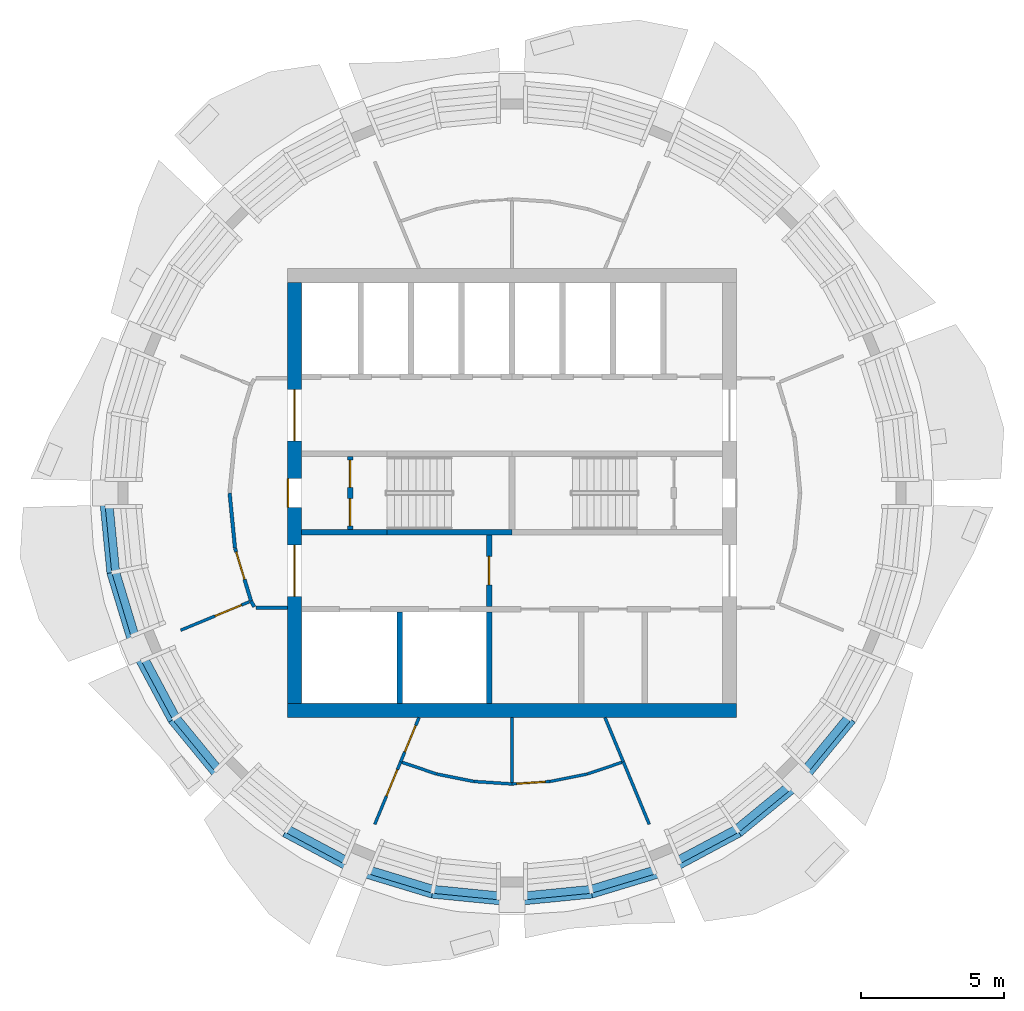
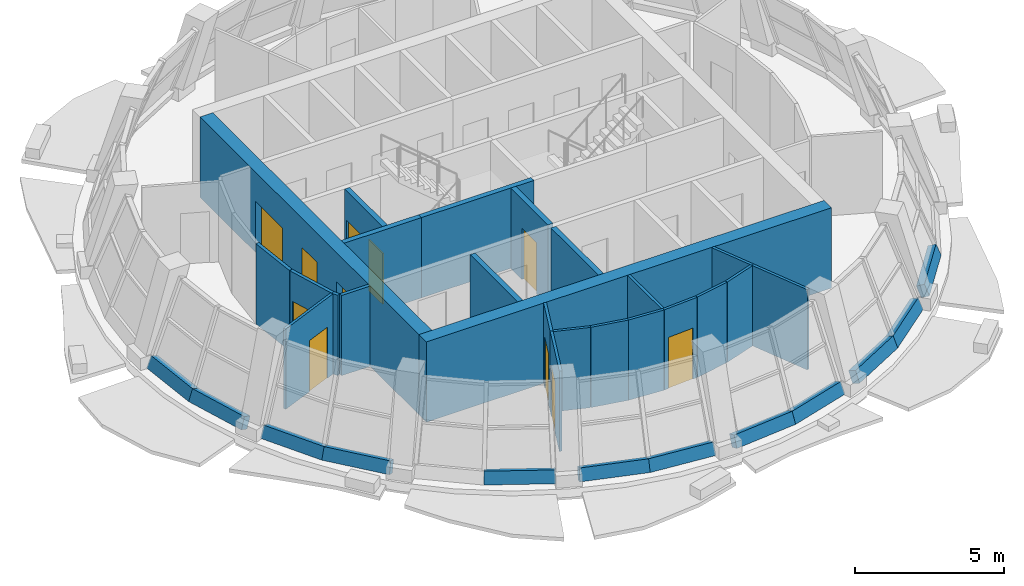
# One storey, part 5 of 12: 36 walls, 11 doors, 11 openings.
"""IFC4 building model written with IfcOpenShell, lengths in metres."""

from ifc_helpers import new_model, si_unit, direction, frame, frame_2d, origin, place, context, subcontext, project, spatial, polyline, rectangle, outline, extrude, material, layer, layer_set, type_object, element, fill, save


model = new_model("IFC4")

# Units and contexts
model_context = context("Model", 3, precision=1e-05, world=origin(), true_north=direction((0.0, 1.0)))
body_context = subcontext(model_context, "Body", "Model", "MODEL_VIEW")
ifc_project = project(units=[si_unit("LENGTHUNIT", "METRE"), si_unit("AREAUNIT", "SQUARE_METRE"), si_unit("VOLUMEUNIT", "CUBIC_METRE"), si_unit("PLANEANGLEUNIT", "RADIAN"), si_unit("MASSUNIT", "GRAM", prefix="KILO")], contexts=[model_context])

# Site, building, storey
site_placement = place(None, origin())
site = spatial("IfcSite", under=ifc_project, at=site_placement, CompositionType="ELEMENT")
building_placement = place(site_placement, origin())
building = spatial("IfcBuilding", under=site, at=building_placement, Name="Polderwave Tower", CompositionType="ELEMENT")
storey_placement = place(building_placement, frame((0.0, 0.0, 231.199951171875)))
storey = spatial("IfcBuildingStorey", under=building, at=storey_placement, Name="L63", CompositionType="ELEMENT", Elevation=231.199951171875)

# Wall
ifc_material_1 = material(Name="Concrete C60/75", Category="concrete")
ifc_layer_1 = layer(ifc_material_1, 0.5)
ifc_layer_set_1 = layer_set([ifc_layer_1], Name="CORE WALL 500 C60/75")
wall_type_1 = type_object("IfcWallType", Name="CORE WALL 500 C60/75", PredefinedType="SHEAR", material=ifc_layer_set_1)
wall_1_placement = place(storey_placement, frame((-7.8740234375, -7.6240234375, 0.0), z_axis=(0.0, 0.0, 1.0), x_axis=(1.0, 0.0, 0.0)))
element("IfcWall", 1, at=wall_1_placement, inside=storey, type_object=wall_type_1, Name="ST-CORE-L63-S", PredefinedType="SHEAR", context=body_context, shape_type="SweptSolid", body=[
    extrude(rectangle(XDim=15.748046875, YDim=0.5, at=frame_2d((7.8740234375, 0.0))), origin(), (0.0, 0.0, 1.0), 3.300048828125),
])

# Wall, openings, doors
wall_2_placement = place(storey_placement, frame((-7.6240234375, -7.3740234375, 0.0), z_axis=(0.0, 0.0, 1.0), x_axis=(0.0, 1.0, 0.0)))
wall_2 = element("IfcWall", 2, at=wall_2_placement, inside=storey, type_object=wall_type_1, Name="ST-CORE-L63-W", PredefinedType="SHEAR", context=body_context, shape_type="SweptSolid", body=[
    extrude(rectangle(XDim=14.748046875, YDim=0.5, at=frame_2d((7.3740234375, 0.0))), origin(), (0.0, 0.0, 1.0), 3.300048828125),
])
opening_1_placement = place(wall_2_placement, frame((6.8740234375, 0.0, 0.0)))
opening_1 = element("IfcOpeningElement", 3, at=opening_1_placement, cuts=wall_2, Name="Opening L63-D19", PredefinedType="OPENING", context=body_context, shape_type="SweptSolid", body=[
    extrude(rectangle(XDim=1.0, YDim=2.10009765625, at=frame_2d((0.5, 1.050048828125))), frame((0.0, 0.260009765625, 0.0), z_axis=(0.0, -1.0, 0.0), x_axis=(1.0, 0.0, 0.0)), (0.0, 0.0, 1.0), 0.52001953125),
])
opening_2_placement = place(wall_2_placement, frame((3.74951171875, 0.0, 0.0)))
opening_2 = element("IfcOpeningElement", 4, at=opening_2_placement, cuts=wall_2, Name="Opening L63-D20", PredefinedType="OPENING", context=body_context, shape_type="SweptSolid", body=[
    extrude(rectangle(XDim=1.800048828125, YDim=2.10009765625, at=frame_2d((0.89990234375, 1.050048828125))), frame((0.0, 0.260009765625, 0.0), z_axis=(0.0, -1.0, 0.0), x_axis=(1.0, 0.0, 0.0)), (0.0, 0.0, 1.0), 0.52001953125),
])
opening_3_placement = place(wall_2_placement, frame((9.198486328125, 0.0, 0.0)))
opening_3 = element("IfcOpeningElement", 5, at=opening_3_placement, cuts=wall_2, Name="Opening L63-D21", PredefinedType="OPENING", context=body_context, shape_type="SweptSolid", body=[
    extrude(rectangle(XDim=1.800048828125, YDim=2.10009765625, at=frame_2d((0.89990234375, 1.050048828125))), frame((0.0, 0.260009765625, 0.0), z_axis=(0.0, -1.0, 0.0), x_axis=(1.0, 0.0, 0.0)), (0.0, 0.0, 1.0), 0.52001953125),
])
ifc_material_2 = material(Name="Steel fire door", Category="steel")
door_type_1 = type_object("IfcDoorType", Name="Lobby entry door pair 1800", OperationType="DOUBLE_DOOR_SINGLE_SWING", PredefinedType="DOOR", material=ifc_material_2)
door_1_placement = place(opening_2_placement, origin())
door_1 = element("IfcDoor", 6, at=door_1_placement, inside=storey, type_object=door_type_1, Name="Fire-fighting lobby entry door", OperationType="DOUBLE_DOOR_SINGLE_SWING", OverallHeight=2.10009765625, OverallWidth=1.800048828125, PredefinedType="DOOR", context=body_context, shape_type="SweptSolid", body=[
    extrude(rectangle(XDim=1.800048828125, YDim=2.10009765625, at=frame_2d((0.89990234375, 1.050048828125))), frame((0.0, 0.02490234375, 0.0), z_axis=(0.0, -1.0, 0.0), x_axis=(1.0, 0.0, 0.0)), (0.0, 0.0, 1.0), 0.050048828125),
])
fill(opening_2, door_1)
door_2_placement = place(opening_3_placement, origin())
door_2 = element("IfcDoor", 7, at=door_2_placement, inside=storey, type_object=door_type_1, Name="North lobby entry door", OperationType="DOUBLE_DOOR_SINGLE_SWING", OverallHeight=2.10009765625, OverallWidth=1.800048828125, PredefinedType="DOOR", context=body_context, shape_type="SweptSolid", body=[
    extrude(rectangle(XDim=1.800048828125, YDim=2.10009765625, at=frame_2d((0.89990234375, 1.050048828125))), frame((0.0, 0.02490234375, 0.0), z_axis=(0.0, -1.0, 0.0), x_axis=(1.0, 0.0, 0.0)), (0.0, 0.0, 1.0), 0.050048828125),
])
fill(opening_3, door_2)
door_type_2 = type_object("IfcDoorType", Name="Stair door 1000", OperationType="NOTDEFINED", PredefinedType="DOOR", material=ifc_material_2)
door_3_placement = place(opening_1_placement, origin())
door_3 = element("IfcDoor", 8, at=door_3_placement, inside=storey, type_object=door_type_2, Name="Stair A entry door", OperationType="SINGLE_SWING_RIGHT", OverallHeight=2.10009765625, OverallWidth=1.0, PredefinedType="DOOR", context=body_context, shape_type="SweptSolid", body=[
    extrude(rectangle(XDim=1.0, YDim=2.10009765625, at=frame_2d((0.5, 1.050048828125))), frame((0.0, 0.25, 0.0), z_axis=(0.0, -1.0, 0.0), x_axis=(1.0, 0.0, 0.0)), (0.0, 0.0, 1.0), 0.050048828125),
])
fill(opening_1, door_3)

# Walls
ifc_material_3 = material(Name="Concrete C50/60 (board-marked)", Category="concrete")
ifc_layer_2 = layer(ifc_material_3, 0.300048828125)
ifc_layer_set_2 = layer_set([ifc_layer_2], Name="Concrete spandrel upstand C50/60")
wall_type_2 = type_object("IfcWallType", Name="Concrete spandrel upstand C50/60", PredefinedType="SOLIDWALL", material=ifc_layer_set_2)
wall_3_placement = place(storey_placement, frame((-14.43896484375, -0.40283203125, 0.0), z_axis=(-0.93035064291, -0.091755306795, 0.355005133642), x_axis=(0.098145054237, -0.995172119915, -8.475565e-06)))
element("IfcWall", 9, at=wall_3_placement, inside=storey, type_object=wall_type_2, Name="Spandrel L63 9a", PredefinedType="SOLIDWALL", context=body_context, shape_type="SweptSolid", body=[
    extrude(outline(polyline([(0.0, 0.0), (2.4333735645715304, -1.3877787807814457e-17), (2.416617189212463, 0.4813229358100159), (0.016840906411805846, 0.4812791180361181), (0.0, 0.0)])), origin(), (0.0, 0.0, -1.0), 0.300048828125),
])
wall_4_placement = place(storey_placement, frame((-14.2001953125, -2.824462890625, 0.0), z_axis=(-0.894721380135, -0.271074750296, 0.354953703573), x_axis=(0.289959608839, -0.957038883806, 1.1226683e-05)))
element("IfcWall", 10, at=wall_4_placement, inside=storey, type_object=wall_type_2, Name="Spandrel L63 9b", PredefinedType="SOLIDWALL", context=body_context, shape_type="SweptSolid", body=[
    extrude(outline(polyline([(0.0, 0.0), (2.433930961802469, -5.551115123125783e-17), (2.416793261188387, 0.4812619504503942), (0.01684045258624646, 0.4813199988131944), (0.0, 0.0)])), origin(), (0.0, 0.0, -1.0), 0.300048828125),
])
wall_5_placement = place(storey_placement, frame((-13.186279296875, -5.897705078125, 0.0), z_axis=(-0.824332600798, -0.441016524886, 0.35493687895), x_axis=(0.471734377661, -0.881740708382, 1.0715603e-05)))
element("IfcWall", 11, at=wall_5_placement, inside=storey, type_object=wall_type_2, Name="Spandrel L63 10a", PredefinedType="SOLIDWALL", context=body_context, shape_type="SweptSolid", body=[
    extrude(outline(polyline([(0.0, 0.0), (2.433854395707357, 0.0), (2.4169481477664605, 0.4812599815895599), (0.01695772553279257, 0.48131538655599776), (0.0, 0.0)])), origin(), (0.0, 0.0, -1.0), 0.300048828125),
])
wall_6_placement = place(storey_placement, frame((-12.0380859375, -8.043701171875, 0.0), z_axis=(-0.722862546463, -0.59284076781, 0.354978257002), x_axis=(0.634136527431, -0.773221096766, -9.701072e-06)))
element("IfcWall", 12, at=wall_6_placement, inside=storey, type_object=wall_type_2, Name="Spandrel L63 10b", PredefinedType="SOLIDWALL", context=body_context, shape_type="SweptSolid", body=[
    extrude(outline(polyline([(0.0, 0.0), (2.434026504244632, 5.551115123125783e-17), (2.4169571362923046, 0.48132085280908643), (0.01659873147160668, 0.4812706870222966), (0.0, 0.0)])), origin(), (0.0, 0.0, -1.0), 0.300048828125),
])
wall_7_placement = place(storey_placement, frame((-8.043701171875, -12.0380859375, 0.0), z_axis=(-0.441126603603, -0.824402860411, 0.354636776631), x_axis=(0.881712517728, -0.471787066311, 1.195964e-05)))
element("IfcWall", 13, at=wall_7_placement, inside=storey, type_object=wall_type_2, Name="Spandrel L63 11b", PredefinedType="SOLIDWALL", context=body_context, shape_type="SweptSolid", body=[
    extrude(outline(polyline([(0.0, 0.0), (2.433854395432529, 5.551115123125783e-17), (2.4167965805720697, 0.48119815178094155), (0.0169062473931503, 0.4812599802189296), (0.0, 0.0)])), origin(), (0.0, 0.0, -1.0), 0.300048828125),
])
wall_8_placement = place(storey_placement, frame((-5.15380859375, -13.494384765625, 0.0), z_axis=(-0.271094631402, -0.894631168658, 0.355165838574), x_axis=(0.957026634075, -0.290000037325, 4.815507e-06)))
element("IfcWall", 14, at=wall_8_placement, inside=storey, type_object=wall_type_2, Name="Spandrel L63 12a", PredefinedType="SOLIDWALL", context=body_context, shape_type="SweptSolid", body=[
    extrude(outline(polyline([(0.0, 0.0), (2.433930962796164, 0.0), (2.417090508229403, 0.4813200037687998), (0.017066904765498103, 0.48134490520427625), (0.0, 0.0)])), origin(), (0.0, 0.0, -1.0), 0.300048828125),
])
wall_9_placement = place(storey_placement, frame((-2.824462890625, -14.2001953125, 0.0), z_axis=(-0.091755306795, -0.93035064291, 0.355005133642), x_axis=(0.995172119915, -0.098145054237, 8.475565e-06)))
element("IfcWall", 15, at=wall_9_placement, inside=storey, type_object=wall_type_2, Name="Spandrel L63 12b", PredefinedType="SOLIDWALL", context=body_context, shape_type="SweptSolid", body=[
    extrude(outline(polyline([(0.0, 0.0), (2.4333735645715304, 1.3877787807814457e-17), (2.4165326581597246, 0.4812791180361181), (0.016756375359067092, 0.4813229358100159), (0.0, 0.0)])), origin(), (0.0, 0.0, -1.0), 0.300048828125),
])
wall_10_placement = place(storey_placement, frame((0.40283203125, -14.43896484375, 0.0), z_axis=(0.091755306795, -0.93035064291, 0.355005133642), x_axis=(0.995172119915, 0.098145054237, -8.475565e-06)))
element("IfcWall", 16, at=wall_10_placement, inside=storey, type_object=wall_type_2, Name="Spandrel L63 13a", PredefinedType="SOLIDWALL", context=body_context, shape_type="SweptSolid", body=[
    extrude(outline(polyline([(0.0, 0.0), (2.4333735645715304, -1.3877787807814457e-17), (2.416617189212463, 0.4813229358100159), (0.016840906411805846, 0.4812791180361181), (0.0, 0.0)])), origin(), (0.0, 0.0, -1.0), 0.300048828125),
])
wall_11_placement = place(storey_placement, frame((2.824462890625, -14.2001953125, 0.0), z_axis=(0.271074750296, -0.894721380135, 0.354953703573), x_axis=(0.957038883806, 0.289959608839, 1.1226683e-05)))
element("IfcWall", 17, at=wall_11_placement, inside=storey, type_object=wall_type_2, Name="Spandrel L63 13b", PredefinedType="SOLIDWALL", context=body_context, shape_type="SweptSolid", body=[
    extrude(outline(polyline([(0.0, 0.0), (2.433930961802469, -5.551115123125783e-17), (2.416793261188387, 0.4812619504503942), (0.01684045258624646, 0.4813199988131944), (0.0, 0.0)])), origin(), (0.0, 0.0, -1.0), 0.300048828125),
])
wall_12_placement = place(storey_placement, frame((5.897705078125, -13.186279296875, 0.0), z_axis=(0.441016524886, -0.824332600798, 0.35493687895), x_axis=(0.881740708382, 0.471734377661, 1.0715603e-05)))
element("IfcWall", 18, at=wall_12_placement, inside=storey, type_object=wall_type_2, Name="Spandrel L63 14a", PredefinedType="SOLIDWALL", context=body_context, shape_type="SweptSolid", body=[
    extrude(outline(polyline([(0.0, 0.0), (2.433854395707357, 0.0), (2.4169481477664605, 0.4812599815895599), (0.01695772553279257, 0.48131538655599776), (0.0, 0.0)])), origin(), (0.0, 0.0, -1.0), 0.300048828125),
])
wall_13_placement = place(storey_placement, frame((8.043701171875, -12.0380859375, 0.0), z_axis=(0.59284076781, -0.722862546463, 0.354978257002), x_axis=(0.773221096766, 0.634136527431, -9.701072e-06)))
element("IfcWall", 19, at=wall_13_placement, inside=storey, type_object=wall_type_2, Name="Spandrel L63 14b", PredefinedType="SOLIDWALL", context=body_context, shape_type="SweptSolid", body=[
    extrude(outline(polyline([(0.0, 0.0), (2.434026504244632, 5.551115123125783e-17), (2.4169571362923046, 0.48132085280908643), (0.01659873147160668, 0.4812706870222966), (0.0, 0.0)])), origin(), (0.0, 0.0, -1.0), 0.300048828125),
])
wall_14_placement = place(storey_placement, frame((10.49462890625, -9.92578125, 0.0), z_axis=(0.722862546463, -0.59284076781, 0.354978257002), x_axis=(0.634136527431, 0.773221096766, 9.701072e-06)))
element("IfcWall", 20, at=wall_14_placement, inside=storey, type_object=wall_type_2, Name="Spandrel L63 15a", PredefinedType="SOLIDWALL", context=body_context, shape_type="SweptSolid", body=[
    extrude(outline(polyline([(0.0, 0.0), (2.434026504244632, -5.551115123125783e-17), (2.417427772773025, 0.48127068702229653), (0.017069367952327243, 0.48132085280908643), (0.0, 0.0)])), origin(), (0.0, 0.0, -1.0), 0.300048828125),
])

# Wall, opening, door
ifc_material_4 = material(Name="Gypsum board partition")
ifc_layer_3 = layer(ifc_material_4, 0.199951171875)
ifc_layer_set_3 = layer_set([ifc_layer_3], Name="Core room partition 200")
wall_type_3 = type_object("IfcWallType", Name="Core room partition 200", PredefinedType="PARTITIONING", material=ifc_layer_set_3)
wall_15_placement = place(storey_placement, frame((-0.800048828125, -3.97412109375, 0.0), z_axis=(0.0, 0.0, 1.0), x_axis=(0.0, 1.0, 0.0)))
wall_15 = element("IfcWall", 21, at=wall_15_placement, inside=storey, type_object=wall_type_3, Name="L63 fire-fighting lobby wall", PredefinedType="PARTITIONING", context=body_context, shape_type="SweptSolid", body=[
    extrude(rectangle(XDim=2.4990234375, YDim=0.199951171875, at=frame_2d((1.24951171875, 0.0))), origin(), (0.0, 0.0, 1.0), 3.300048828125),
])
opening_4_placement = place(wall_15_placement, frame((0.74951171875, 0.0, 0.0)))
opening_4 = element("IfcOpeningElement", 22, at=opening_4_placement, cuts=wall_15, Name="Opening L63-D14", PredefinedType="OPENING", context=body_context, shape_type="SweptSolid", body=[
    extrude(rectangle(XDim=1.0, YDim=2.10009765625, at=frame_2d((0.5, 1.050048828125))), frame((0.0, 0.10986328125, 0.0), z_axis=(0.0, -1.0, 0.0), x_axis=(1.0, 0.0, 0.0)), (0.0, 0.0, 1.0), 0.219970703125),
])
door_type_3 = type_object("IfcDoorType", Name="Lobby fire door 1000", OperationType="NOTDEFINED", PredefinedType="DOOR", material=ifc_material_2)
door_4_placement = place(opening_4_placement, frame((1.0, 0.0, 0.0), z_axis=(0.0, 0.0, 1.0), x_axis=(-1.0, 0.0, 0.0)))
door_4 = element("IfcDoor", 23, at=door_4_placement, inside=storey, type_object=door_type_3, Name="Fire-fighting lobby door", OperationType="SINGLE_SWING_LEFT", OverallHeight=2.10009765625, OverallWidth=1.0, PredefinedType="DOOR", context=body_context, shape_type="SweptSolid", body=[
    extrude(rectangle(XDim=1.0, YDim=2.10009765625, at=frame_2d((0.5, 1.050048828125))), frame((0.0, 0.02490234375, 0.0), z_axis=(0.0, -1.0, 0.0), x_axis=(1.0, 0.0, 0.0)), (0.0, 0.0, 1.0), 0.050048828125),
])
fill(opening_4, door_4)

# Wall, openings, doors
wall_16_placement = place(storey_placement, frame((-5.674072265625, -1.27490234375, 0.0), z_axis=(0.0, 0.0, 1.0), x_axis=(0.0, 1.0, 0.0)))
wall_16 = element("IfcWall", 24, at=wall_16_placement, inside=storey, type_object=wall_type_3, Name="L63 smoke lobby wall A", PredefinedType="PARTITIONING", context=body_context, shape_type="SweptSolid", body=[
    extrude(rectangle(XDim=2.5498046875, YDim=0.199951171875, at=frame_2d((1.27490234375, 0.0))), origin(), (0.0, 0.0, 1.0), 3.300048828125),
])
opening_5_placement = place(wall_16_placement, frame((0.125, 0.0, 0.0)))
opening_5 = element("IfcOpeningElement", 25, at=opening_5_placement, cuts=wall_16, Name="Opening L63-D10", PredefinedType="OPENING", context=body_context, shape_type="SweptSolid", body=[
    extrude(rectangle(XDim=0.949951171875, YDim=2.10009765625, at=frame_2d((0.47509765625, 1.050048828125))), frame((0.0, 0.10986328125, 0.0), z_axis=(0.0, -1.0, 0.0), x_axis=(1.0, 0.0, 0.0)), (0.0, 0.0, 1.0), 0.219970703125),
])
opening_6_placement = place(wall_16_placement, frame((1.47509765625, 0.0, 0.0)))
opening_6 = element("IfcOpeningElement", 26, at=opening_6_placement, cuts=wall_16, Name="Opening L63-D11", PredefinedType="OPENING", context=body_context, shape_type="SweptSolid", body=[
    extrude(rectangle(XDim=0.949951171875, YDim=2.10009765625, at=frame_2d((0.47509765625, 1.050048828125))), frame((0.0, 0.10986328125, 0.0), z_axis=(0.0, -1.0, 0.0), x_axis=(1.0, 0.0, 0.0)), (0.0, 0.0, 1.0), 0.219970703125),
])
door_type_4 = type_object("IfcDoorType", Name="Smoke lobby door 950", OperationType="NOTDEFINED", PredefinedType="DOOR", material=ifc_material_2)
door_5_placement = place(opening_5_placement, origin())
door_5 = element("IfcDoor", 27, at=door_5_placement, inside=storey, type_object=door_type_4, Name="Stair A smoke lobby inner door", OperationType="SINGLE_SWING_LEFT", OverallHeight=2.10009765625, OverallWidth=0.949951171875, PredefinedType="DOOR", context=body_context, shape_type="SweptSolid", body=[
    extrude(rectangle(XDim=0.949951171875, YDim=2.10009765625, at=frame_2d((0.47509765625, 1.050048828125))), frame((0.0, 0.02490234375, 0.0), z_axis=(0.0, -1.0, 0.0), x_axis=(1.0, 0.0, 0.0)), (0.0, 0.0, 1.0), 0.050048828125),
])
fill(opening_5, door_5)
door_6_placement = place(opening_6_placement, origin())
door_6 = element("IfcDoor", 28, at=door_6_placement, inside=storey, type_object=door_type_4, Name="Stair A smoke lobby inner door", OperationType="SINGLE_SWING_RIGHT", OverallHeight=2.10009765625, OverallWidth=0.949951171875, PredefinedType="DOOR", context=body_context, shape_type="SweptSolid", body=[
    extrude(rectangle(XDim=0.949951171875, YDim=2.10009765625, at=frame_2d((0.47509765625, 1.050048828125))), frame((0.0, 0.02490234375, 0.0), z_axis=(0.0, -1.0, 0.0), x_axis=(1.0, 0.0, 0.0)), (0.0, 0.0, 1.0), 0.050048828125),
])
fill(opening_6, door_6)

# Walls
ifc_material_5 = material(Name="Concrete C50/60", Category="concrete")
ifc_layer_4 = layer(ifc_material_5, 0.199951171875)
ifc_layer_set_4 = layer_set([ifc_layer_4], Name="Core web wall 200")
wall_type_4 = type_object("IfcWallType", Name="Core web wall 200", PredefinedType="SHEAR", material=ifc_layer_set_4)
wall_17_placement = place(storey_placement, frame((-7.3740234375, -1.375, 0.0), z_axis=(0.0, 0.0, 1.0), x_axis=(1.0, 0.0, 0.0)))
element("IfcWall", 29, at=wall_17_placement, inside=storey, type_object=wall_type_4, Name="L63 south stair wall 1", PredefinedType="SHEAR", context=body_context, shape_type="SweptSolid", body=[
    extrude(rectangle(XDim=3.0, YDim=0.199951171875, at=frame_2d((1.5, 0.0))), origin(), (0.0, 0.0, 1.0), 3.300048828125),
])
wall_18_placement = place(storey_placement, frame((-4.3740234375, -1.375, 0.0), z_axis=(0.0, 0.0, 1.0), x_axis=(1.0, 0.0, 0.0)))
element("IfcWall", 30, at=wall_18_placement, inside=storey, type_object=wall_type_4, Name="L63 south stair wall 2", PredefinedType="SHEAR", context=body_context, shape_type="SweptSolid", body=[
    extrude(rectangle(XDim=4.3740234375, YDim=0.199951171875, at=frame_2d((2.18701171875, 0.0))), origin(), (0.0, 0.0, 1.0), 3.300048828125),
])
ifc_material_6 = material(Name="Fire-resisting board on steel studs", Category="steel")
ifc_layer_5 = layer(ifc_material_6, 0.125)
ifc_layer_set_5 = layer_set([ifc_layer_5], Name="Corridor wall 125 mm EI 60")
wall_type_5 = type_object("IfcWallType", Name="Corridor wall 125 mm EI 60", PredefinedType="PARTITIONING", material=ifc_layer_set_5)
wall_19_placement = place(storey_placement, frame((-9.71044921875, -1.92529296875, 0.0), z_axis=(0.0, 0.0, 1.0), x_axis=(-0.097986933069, 0.995187701365, 0.0)))
element("IfcWall", 31, at=wall_19_placement, inside=storey, type_object=wall_type_5, Name="IN-L63-W010", PredefinedType="PARTITIONING", context=body_context, shape_type="SweptSolid", body=[
    extrude(rectangle(XDim=1.928466796875, YDim=0.125, at=frame_2d((0.96435546875, 0.0))), origin(), (0.0, 0.0, 1.0), 3.300048828125),
])

# Wall, opening, door
wall_20_placement = place(storey_placement, frame((-9.146484375, -3.78857421875, 0.0), z_axis=(0.0, 0.0, 1.0), x_axis=(-0.29025256199, 0.956950077203, 0.0)))
wall_20 = element("IfcWall", 32, at=wall_20_placement, inside=storey, type_object=wall_type_5, Name="IN-L63-W012", PredefinedType="PARTITIONING", context=body_context, shape_type="SweptSolid", body=[
    extrude(rectangle(XDim=1.9345703125, YDim=0.125, at=frame_2d((0.96728515625, 0.0))), origin(), (0.0, 0.0, 1.0), 3.300048828125),
])
opening_7_placement = place(wall_20_placement, frame((0.800048828125, 0.0, 0.0)))
opening_7 = element("IfcOpeningElement", 33, at=opening_7_placement, cuts=wall_20, Name="Opening L63-D53", PredefinedType="OPENING", context=body_context, shape_type="SweptSolid", body=[
    extrude(rectangle(XDim=1.0, YDim=2.10009765625, at=frame_2d((0.5, 1.050048828125))), frame((0.0, 0.072509765625, 0.0), z_axis=(0.0, -1.0, 0.0), x_axis=(1.0, 0.0, 0.0)), (0.0, 0.0, 1.0), 0.14501953125),
])
ifc_material_7 = material(Name="Timber fire door leaf", Category="wood")
door_type_5 = type_object("IfcDoorType", Name="Fire door FD30S 1000 x 2100", OperationType="NOTDEFINED", PredefinedType="DOOR", material=ifc_material_7)
door_7_placement = place(opening_7_placement, origin())
door_7 = element("IfcDoor", 34, at=door_7_placement, inside=storey, type_object=door_type_5, Name="Door L63-D53", OperationType="SINGLE_SWING_RIGHT", OverallHeight=2.10009765625, OverallWidth=1.0, PredefinedType="DOOR", context=body_context, shape_type="SweptSolid", body=[
    extrude(rectangle(XDim=1.0, YDim=2.10009765625, at=frame_2d((0.5, 1.050048828125))), frame((0.0, 0.02490234375, 0.0), z_axis=(0.0, -1.0, 0.0), x_axis=(1.0, 0.0, 0.0)), (0.0, 0.0, 1.0), 0.050048828125),
])
fill(opening_7, door_7)

# Walls
wall_21_placement = place(storey_placement, frame((-9.0380859375, -3.991455078125, 0.0), z_axis=(0.0, 0.0, 1.0), x_axis=(-0.471249165364, 0.882000127066, 0.0)))
element("IfcWall", 35, at=wall_21_placement, inside=storey, type_object=wall_type_5, Name="IN-L63-W013", PredefinedType="PARTITIONING", context=body_context, shape_type="SweptSolid", body=[
    extrude(rectangle(XDim=0.22998046875, YDim=0.125, at=frame_2d((0.114990234375, 0.0))), origin(), (0.0, 0.0, 1.0), 3.300048828125),
])
wall_22_placement = place(storey_placement, frame((-7.8740234375, -4.0244140625, 0.0), z_axis=(0.0, 0.0, 1.0), x_axis=(-1.0, 0.0, 0.0)))
element("IfcWall", 36, at=wall_22_placement, inside=storey, type_object=wall_type_5, Name="IN-L63-W014", PredefinedType="PARTITIONING", context=body_context, shape_type="SweptSolid", body=[
    extrude(rectangle(XDim=1.10888671875, YDim=0.125, at=frame_2d((0.554443359375, 0.0))), origin(), (0.0, 0.0, 1.0), 3.300048828125),
])

# Wall, opening, door
ifc_material_8 = material(Name="Plasterboard on steel studs", Category="steel")
ifc_layer_6 = layer(ifc_material_8, 0.10009765625)
ifc_layer_set_6 = layer_set([ifc_layer_6], Name="Partition 100 mm plasterboard on steel studs")
wall_type_6 = type_object("IfcWallType", Name="Partition 100 mm plasterboard on steel studs", PredefinedType="PARTITIONING", material=ifc_layer_set_6)
wall_23_placement = place(storey_placement, frame((-9.208984375, -3.814453125, 0.0), z_axis=(0.0, 0.0, 1.0), x_axis=(-0.923885342263, -0.382669406082, 0.0)))
wall_23 = element("IfcWall", 37, at=wall_23_placement, inside=storey, type_object=wall_type_6, Name="IN-L63-W029", PredefinedType="PARTITIONING", context=body_context, shape_type="SweptSolid", body=[
    extrude(rectangle(XDim=2.602294921875, YDim=0.10009765625, at=frame_2d((1.30126953125, 0.0))), origin(), (0.0, 0.0, 1.0), 3.300048828125),
])
opening_8_placement = place(wall_23_placement, frame((0.300048828125, 0.0, 0.0)))
opening_8 = element("IfcOpeningElement", 38, at=opening_8_placement, cuts=wall_23, Name="Opening L63-D58", PredefinedType="OPENING", context=body_context, shape_type="SweptSolid", body=[
    extrude(rectangle(XDim=1.0, YDim=2.10009765625, at=frame_2d((0.5, 1.050048828125))), frame((0.0, 0.06005859375, 0.0), z_axis=(0.0, -1.0, 0.0), x_axis=(1.0, 0.0, 0.0)), (0.0, 0.0, 1.0), 0.1201171875),
])
ifc_material_9 = material(Name="Timber veneer door leaf", Category="wood")
door_type_6 = type_object("IfcDoorType", Name="Single door 1000 x 2100", OperationType="NOTDEFINED", PredefinedType="DOOR", material=ifc_material_9)
door_8_placement = place(opening_8_placement, origin())
door_8 = element("IfcDoor", 39, at=door_8_placement, inside=storey, type_object=door_type_6, Name="Door L63-D58", OperationType="SINGLE_SWING_LEFT", OverallHeight=2.10009765625, OverallWidth=1.0, PredefinedType="DOOR", context=body_context, shape_type="SweptSolid", body=[
    extrude(rectangle(XDim=1.0, YDim=2.10009765625, at=frame_2d((0.5, 1.050048828125))), frame((0.0, 0.02490234375, 0.0), z_axis=(0.0, -1.0, 0.0), x_axis=(1.0, 0.0, 0.0)), (0.0, 0.0, 1.0), 0.050048828125),
])
fill(opening_8, door_8)

wall_24_placement = place(storey_placement, frame((-3.9033203125, -9.423583984375, 0.0), z_axis=(0.0, 0.0, 1.0), x_axis=(-0.382676271808, -0.923882498479, 0.0)))
wall_24 = element("IfcWall", 40, at=wall_24_placement, inside=storey, type_object=wall_type_6, Name="IN-L63-W031", PredefinedType="PARTITIONING", context=body_context, shape_type="SweptSolid", body=[
    extrude(rectangle(XDim=2.3701171875, YDim=0.10009765625, at=frame_2d((1.18505859375, 0.0))), origin(), (0.0, 0.0, 1.0), 3.300048828125),
])
opening_9_placement = place(wall_24_placement, frame((0.300048828125, 0.0, 0.0)))
opening_9 = element("IfcOpeningElement", 41, at=opening_9_placement, cuts=wall_24, Name="Opening L63-D60", PredefinedType="OPENING", context=body_context, shape_type="SweptSolid", body=[
    extrude(rectangle(XDim=1.0, YDim=2.10009765625, at=frame_2d((0.5, 1.050048828125))), frame((0.0, 0.06005859375, 0.0), z_axis=(0.0, -1.0, 0.0), x_axis=(1.0, 0.0, 0.0)), (0.0, 0.0, 1.0), 0.1201171875),
])
door_9_placement = place(opening_9_placement, origin())
door_9 = element("IfcDoor", 42, at=door_9_placement, inside=storey, type_object=door_type_6, Name="Door L63-D60", OperationType="SINGLE_SWING_LEFT", OverallHeight=2.10009765625, OverallWidth=1.0, PredefinedType="DOOR", context=body_context, shape_type="SweptSolid", body=[
    extrude(rectangle(XDim=1.0, YDim=2.10009765625, at=frame_2d((0.5, 1.050048828125))), frame((0.0, 0.02490234375, 0.0), z_axis=(0.0, -1.0, 0.0), x_axis=(1.0, 0.0, 0.0)), (0.0, 0.0, 1.0), 0.050048828125),
])
fill(opening_9, door_9)

wall_25_placement = place(storey_placement, frame((0.0, -10.199951171875, 0.0), z_axis=(0.0, 0.0, 1.0), x_axis=(0.997853610003, 0.065484143156, 0.0)))
wall_25 = element("IfcWall", 43, at=wall_25_placement, inside=storey, type_object=wall_type_6, Name="IN-L63-W036", PredefinedType="PARTITIONING", context=body_context, shape_type="SweptSolid", body=[
    extrude(rectangle(XDim=1.3310546875, YDim=0.10009765625, at=frame_2d((0.66552734375, 0.0))), origin(), (0.0, 0.0, 1.0), 3.300048828125),
])
opening_10_placement = place(wall_25_placement, frame((0.16552734375, 0.0, 0.0)))
opening_10 = element("IfcOpeningElement", 44, at=opening_10_placement, cuts=wall_25, Name="Opening L63-D61", PredefinedType="OPENING", context=body_context, shape_type="SweptSolid", body=[
    extrude(rectangle(XDim=1.0, YDim=2.10009765625, at=frame_2d((0.5, 1.050048828125))), frame((0.0, 0.06005859375, 0.0), z_axis=(0.0, -1.0, 0.0), x_axis=(1.0, 0.0, 0.0)), (0.0, 0.0, 1.0), 0.1201171875),
])
door_10_placement = place(opening_10_placement, origin())
door_10 = element("IfcDoor", 45, at=door_10_placement, inside=storey, type_object=door_type_6, Name="Door L63-D61", OperationType="SINGLE_SWING_LEFT", OverallHeight=2.10009765625, OverallWidth=1.0, PredefinedType="DOOR", context=body_context, shape_type="SweptSolid", body=[
    extrude(rectangle(XDim=1.0, YDim=2.10009765625, at=frame_2d((0.5, 1.050048828125))), frame((0.0, 0.02490234375, 0.0), z_axis=(0.0, -1.0, 0.0), x_axis=(1.0, 0.0, 0.0)), (0.0, 0.0, 1.0), 0.050048828125),
])
fill(opening_10, door_10)

# Walls
wall_26_placement = place(storey_placement, frame((1.334716796875, -10.112060546875, 0.0), z_axis=(0.0, 0.0, 1.0), x_axis=(0.980778229799, 0.195125764451, 0.0)))
element("IfcWall", 46, at=wall_26_placement, inside=storey, type_object=wall_type_6, Name="IN-L63-W037", PredefinedType="PARTITIONING", context=body_context, shape_type="SweptSolid", body=[
    extrude(rectangle(XDim=1.32763671875, YDim=0.10009765625, at=frame_2d((0.663818359375, 0.0))), origin(), (0.0, 0.0, 1.0), 3.300048828125),
])
wall_27_placement = place(storey_placement, frame((2.64306640625, -9.851318359375, 0.0), z_axis=(0.0, 0.0, 1.0), x_axis=(0.946984941769, 0.321277948299, 0.0)))
element("IfcWall", 47, at=wall_27_placement, inside=storey, type_object=wall_type_6, Name="IN-L63-W038", PredefinedType="PARTITIONING", context=body_context, shape_type="SweptSolid", body=[
    extrude(rectangle(XDim=1.275146484375, YDim=0.10009765625, at=frame_2d((0.6376953125, 0.0))), origin(), (0.0, 0.0, 1.0), 3.300048828125),
])

# Wall, opening, door
ifc_material_10 = material(Name="Moisture-resistant board on steel studs, tiled", Category="steel")
ifc_layer_7 = layer(ifc_material_10, 0.10498046875)
ifc_layer_set_7 = layer_set([ifc_layer_7], Name="Partition 105 mm wet room board and tile")
wall_type_7 = type_object("IfcWallType", Name="Partition 105 mm wet room board and tile", PredefinedType="PARTITIONING", material=ifc_layer_set_7)
wall_28_placement = place(storey_placement, frame((-3.261474609375, -7.8740234375, 0.0), z_axis=(0.0, 0.0, 1.0), x_axis=(-0.382681757498, -0.923880226262, 0.0)))
wall_28 = element("IfcWall", 48, at=wall_28_placement, inside=storey, type_object=wall_type_7, Name="IN-L63-W030", PredefinedType="PARTITIONING", context=body_context, shape_type="SweptSolid", body=[
    extrude(rectangle(XDim=1.67724609375, YDim=0.10498046875, at=frame_2d((0.838623046875, 0.0))), origin(), (0.0, 0.0, 1.0), 3.300048828125),
])
opening_11_placement = place(wall_28_placement, frame((0.300048828125, 0.0, 0.0)))
opening_11 = element("IfcOpeningElement", 49, at=opening_11_placement, cuts=wall_28, Name="Opening L63-D59", PredefinedType="OPENING", context=body_context, shape_type="SweptSolid", body=[
    extrude(rectangle(XDim=1.0, YDim=2.10009765625, at=frame_2d((0.5, 1.050048828125))), frame((0.0, 0.0625, 0.0), z_axis=(0.0, -1.0, 0.0), x_axis=(1.0, 0.0, 0.0)), (0.0, 0.0, 1.0), 0.125),
])
door_11_placement = place(opening_11_placement, origin())
door_11 = element("IfcDoor", 50, at=door_11_placement, inside=storey, type_object=door_type_6, Name="Door L63-D59", OperationType="SINGLE_SWING_LEFT", OverallHeight=2.10009765625, OverallWidth=1.0, PredefinedType="DOOR", context=body_context, shape_type="SweptSolid", body=[
    extrude(rectangle(XDim=1.0, YDim=2.10009765625, at=frame_2d((0.5, 1.050048828125))), frame((0.0, 0.02490234375, 0.0), z_axis=(0.0, -1.0, 0.0), x_axis=(1.0, 0.0, 0.0)), (0.0, 0.0, 1.0), 0.050048828125),
])
fill(opening_11, door_11)

# Walls
wall_29_placement = place(storey_placement, frame((-2.643310546875, -9.851318359375, 0.0), z_axis=(0.0, 0.0, 1.0), x_axis=(-0.946945394448, 0.321394492695, 0.0)))
element("IfcWall", 51, at=wall_29_placement, inside=storey, type_object=wall_type_7, Name="IN-L63-W032", PredefinedType="PARTITIONING", context=body_context, shape_type="SweptSolid", body=[
    extrude(rectangle(XDim=1.274658203125, YDim=0.10498046875, at=frame_2d((0.63720703125, 0.0))), origin(), (0.0, 0.0, 1.0), 3.300048828125),
])
wall_30_placement = place(storey_placement, frame((-1.334716796875, -10.112060546875, 0.0), z_axis=(0.0, 0.0, 1.0), x_axis=(-0.980778229799, 0.195125764451, 0.0)))
element("IfcWall", 52, at=wall_30_placement, inside=storey, type_object=wall_type_7, Name="IN-L63-W033", PredefinedType="PARTITIONING", context=body_context, shape_type="SweptSolid", body=[
    extrude(rectangle(XDim=1.32763671875, YDim=0.10498046875, at=frame_2d((0.663818359375, 0.0))), origin(), (0.0, 0.0, 1.0), 3.300048828125),
])
wall_31_placement = place(storey_placement, frame((0.0, -10.199951171875, 0.0), z_axis=(0.0, 0.0, 1.0), x_axis=(-0.997852823211, 0.065496131253, 0.0)))
element("IfcWall", 53, at=wall_31_placement, inside=storey, type_object=wall_type_7, Name="IN-L63-W034", PredefinedType="PARTITIONING", context=body_context, shape_type="SweptSolid", body=[
    extrude(rectangle(XDim=1.330810546875, YDim=0.10498046875, at=frame_2d((0.66552734375, 0.0))), origin(), (0.0, 0.0, 1.0), 3.300048828125),
])
wall_32_placement = place(storey_placement, frame((0.0, -7.8740234375, 0.0), z_axis=(0.0, 0.0, 1.0), x_axis=(0.0, -1.0, 0.0)))
element("IfcWall", 54, at=wall_32_placement, inside=storey, type_object=wall_type_7, Name="IN-L63-W035", PredefinedType="PARTITIONING", context=body_context, shape_type="SweptSolid", body=[
    extrude(rectangle(XDim=2.269775390625, YDim=0.10498046875, at=frame_2d((1.134765625, 0.0))), origin(), (0.0, 0.0, 1.0), 3.300048828125),
])
wall_33_placement = place(storey_placement, frame((3.9033203125, -9.423583984375, 0.0), z_axis=(0.0, 0.0, 1.0), x_axis=(0.382676271808, -0.923882498479, 0.0)))
element("IfcWall", 55, at=wall_33_placement, inside=storey, type_object=wall_type_7, Name="IN-L63-W039", PredefinedType="PARTITIONING", context=body_context, shape_type="SweptSolid", body=[
    extrude(rectangle(XDim=2.3701171875, YDim=0.10498046875, at=frame_2d((1.18505859375, 0.0))), origin(), (0.0, 0.0, 1.0), 3.300048828125),
])
wall_34_placement = place(storey_placement, frame((3.261474609375, -7.8740234375, 0.0), z_axis=(0.0, 0.0, 1.0), x_axis=(0.382681757498, -0.923880226262, 0.0)))
element("IfcWall", 56, at=wall_34_placement, inside=storey, type_object=wall_type_7, Name="IN-L63-W040", PredefinedType="PARTITIONING", context=body_context, shape_type="SweptSolid", body=[
    extrude(rectangle(XDim=1.67724609375, YDim=0.10498046875, at=frame_2d((0.838623046875, 0.0))), origin(), (0.0, 0.0, 1.0), 3.300048828125),
])
ifc_material_11 = material(Name="Gypsum shaft wall system")
ifc_layer_8 = layer(ifc_material_11, 0.199951171875)
ifc_layer_set_8 = layer_set([ifc_layer_8], Name="Shaft wall 200")
wall_type_8 = type_object("IfcWallType", Name="Shaft wall 200", PredefinedType="PARTITIONING", material=ifc_layer_set_8)
for number, where, z_axis, x_axis, name in (
    (57, (-3.93701171875, -7.3740234375, 0.0), (0.0, 0.0, 1.0), (0.0, 1.0, 0.0), "L63 fire-fighting shaft wall 1"),
    (58, (-0.800048828125, -7.3740234375, 0.0), (0.0, 0.0, 1.0), (0.0, 1.0, 0.0), "L63 fire-fighting shaft wall 2"),
):
    element("IfcWall", number, at=place(storey_placement, frame(where, z_axis=z_axis, x_axis=x_axis)), inside=storey, type_object=wall_type_8, Name=name, PredefinedType="PARTITIONING", context=body_context, shape_type="SweptSolid", body=[
        extrude(rectangle(XDim=3.199951171875, YDim=0.199951171875, at=frame_2d((1.60009765625, 0.0))), origin(), (0.0, 0.0, 1.0), 3.300048828125),
    ])

save(model, "model.ifc")
